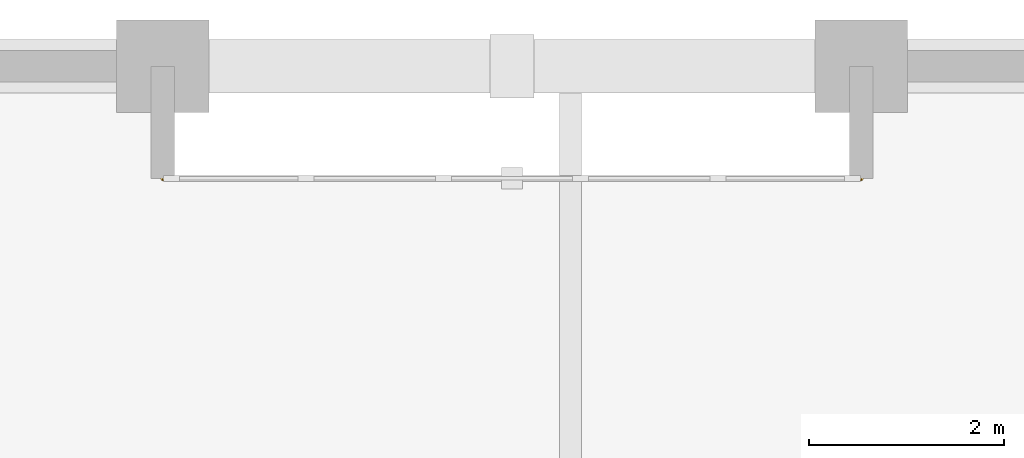
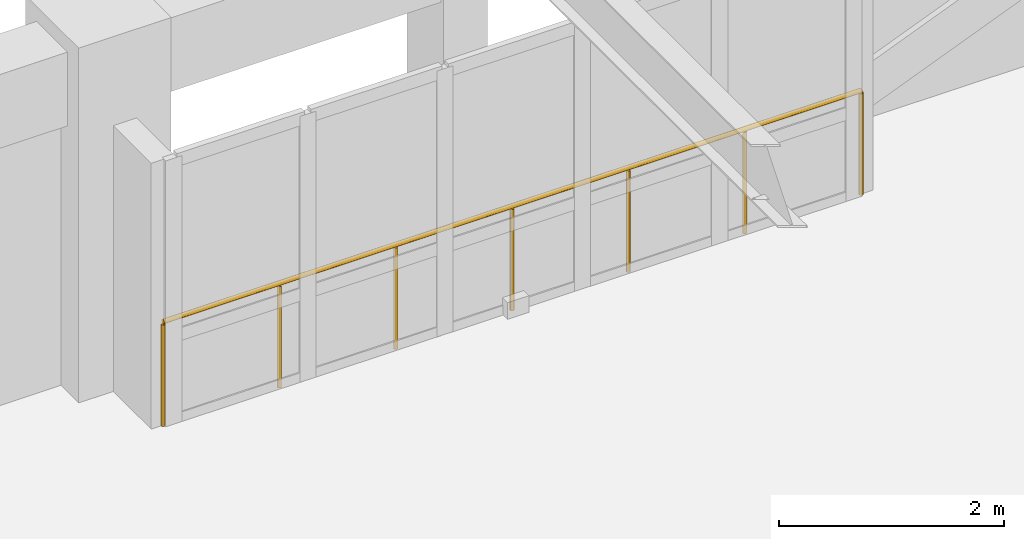
# One storey, part 11 of 11: 1 railing.
"""IFC4 building model written with IfcOpenShell, lengths in metres."""

from ifc_helpers import new_model, si_unit, direction, frame, origin, origin_2d, place, context, subcontext, project, spatial, circle, extrude, material, type_object, element, save


model = new_model("IFC4")

# Units and contexts
model_context = context("Model", 3, precision=1e-05, world=origin(), true_north=direction((0.0, 1.0)))
body_context = subcontext(model_context, "Body", "Model", "MODEL_VIEW")
ifc_project = project(units=[si_unit("LENGTHUNIT", "METRE"), si_unit("AREAUNIT", "SQUARE_METRE"), si_unit("VOLUMEUNIT", "CUBIC_METRE"), si_unit("PLANEANGLEUNIT", "RADIAN"), si_unit("MASSUNIT", "GRAM", prefix="KILO")], contexts=[model_context])

# Site, building, storey
site_placement = place(None, origin())
site = spatial("IfcSite", under=ifc_project, at=site_placement, CompositionType="ELEMENT")
building_placement = place(site_placement, origin())
building = spatial("IfcBuilding", under=site, at=building_placement, Name="Nhamokura Convention Tower", CompositionType="ELEMENT")
storey_placement = place(building_placement, frame((0.0, 0.0, 141.39990234375)))
storey = spatial("IfcBuildingStorey", under=building, at=storey_placement, Name="L34", CompositionType="ELEMENT", Elevation=141.39990234375)

# Railing
ifc_material = material(Name="Anodised bronze stainless steel", Category="steel")
railing_type = type_object("IfcRailingType", Name="TerraceGuardrail_1150", PredefinedType="GUARDRAIL", material=ifc_material)
railing_placement = place(storey_placement, frame((39.166748046875, 56.85009765625, 0.0)))
element("IfcRailing", 1, at=railing_placement, inside=storey, type_object=railing_type, Name="L34 Scale-Slot Edge Guardrail NORTH 4", PredefinedType="GUARDRAIL", context=body_context, shape_type="SweptSolid", body=[
    extrude(circle(Radius=0.02392578125, at=origin_2d()), frame((0.0, 0.0, 1.1259765625), z_axis=(1.0, 0.0, 0.0), x_axis=(0.0, 1.0, 0.0)), (0.0, 0.0, 1.0), 7.16650390625),
    extrude(circle(Radius=0.02099609375, at=origin_2d()), origin(), (0.0, 0.0, 1.0), 1.101806640625),
    extrude(circle(Radius=0.02099609375, at=origin_2d()), frame((1.1943359375, 0.0, 0.0)), (0.0, 0.0, 1.0), 1.101806640625),
    extrude(circle(Radius=0.02099609375, at=origin_2d()), frame((2.388916015625, 0.0, 0.0)), (0.0, 0.0, 1.0), 1.101806640625),
    extrude(circle(Radius=0.02099609375, at=origin_2d()), frame((3.583251953125, 0.0, 0.0)), (0.0, 0.0, 1.0), 1.101806640625),
    extrude(circle(Radius=0.02099609375, at=origin_2d()), frame((4.777587890625, 0.0, 0.0)), (0.0, 0.0, 1.0), 1.101806640625),
    extrude(circle(Radius=0.02099609375, at=origin_2d()), frame((5.97216796875, 0.0, 0.0)), (0.0, 0.0, 1.0), 1.101806640625),
    extrude(circle(Radius=0.02099609375, at=origin_2d()), frame((7.16650390625, 0.0, 0.0)), (0.0, 0.0, 1.0), 1.101806640625),
])

save(model, "model.ifc")
